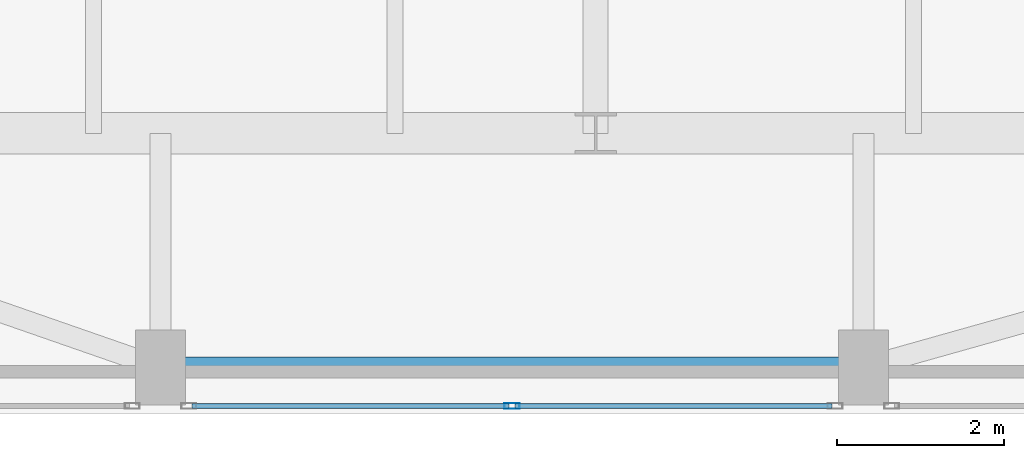
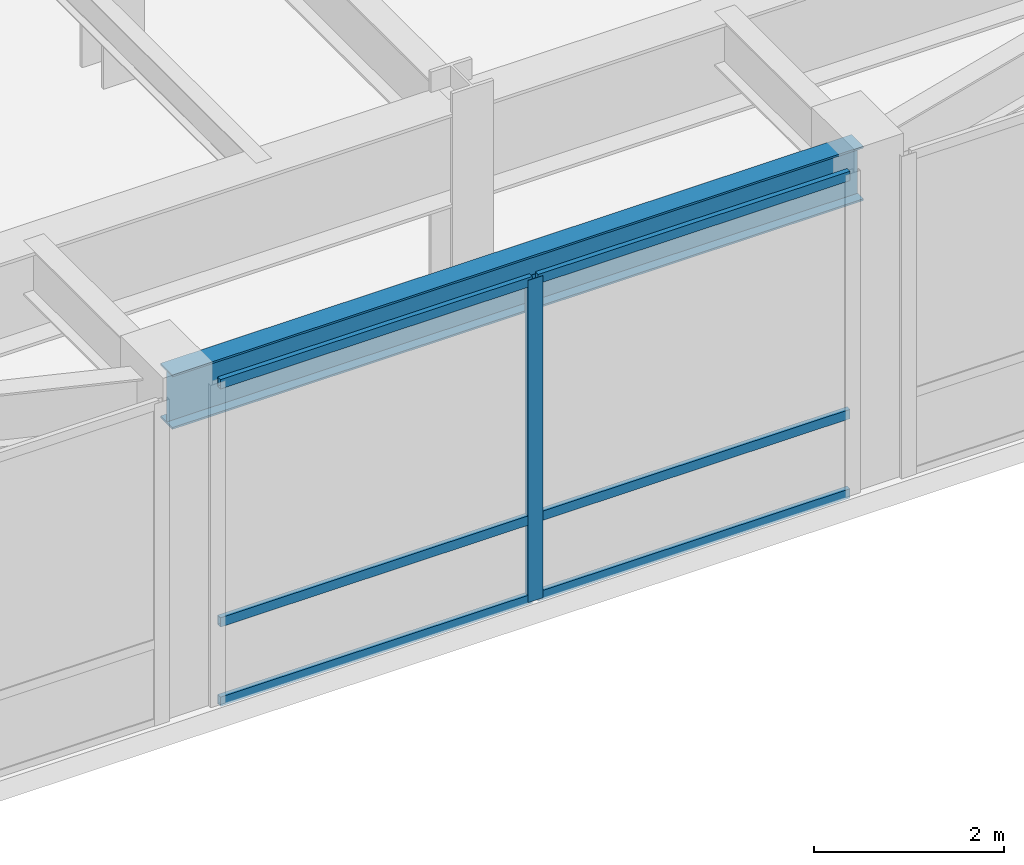
# One storey, part 4 of 27: 7 members, 1 beam, 1 element without a shape of its own.
"""IFC4 building model written with IfcOpenShell, lengths in metres."""

from ifc_helpers import new_model, si_unit, direction, frame, origin, origin_2d, place, context, subcontext, project, spatial, hollow_rectangle, i_section, extrude, source, transform, mapped, material, layer, layer_set, material_profile, profile_set, type_object, type_shapes, element, aggregate, save


model = new_model("IFC4")

# Units and contexts
model_context = context("Model", 3, precision=1e-05, world=origin(), true_north=direction((0.0, 1.0)))
body_context = subcontext(model_context, "Body", "Model", "MODEL_VIEW")
ifc_project = project(units=[si_unit("LENGTHUNIT", "METRE"), si_unit("AREAUNIT", "SQUARE_METRE"), si_unit("VOLUMEUNIT", "CUBIC_METRE"), si_unit("PLANEANGLEUNIT", "RADIAN"), si_unit("MASSUNIT", "GRAM", prefix="KILO")], contexts=[model_context])

# Site, building, storey
site_placement = place(None, origin())
site = spatial("IfcSite", under=ifc_project, at=site_placement, CompositionType="ELEMENT")
building_placement = place(site_placement, origin())
building = spatial("IfcBuilding", under=site, at=building_placement, Name="Tolvann Quenvar Hotel", CompositionType="ELEMENT")
storey_placement = place(building_placement, frame((0.0, 0.0, 22.39990234375)))
storey = spatial("IfcBuildingStorey", under=building, at=storey_placement, Name="L04", CompositionType="ELEMENT", Elevation=22.39990234375)

# Beam
ifc_material_1 = material(Name="Steel Grade 350", Category="steel")
ifc_material_profile_1 = material_profile(ifc_material_1, i_section(OverallWidth=0.25, OverallDepth=0.699951171875, WebThickness=0.010009765625, FlangeThickness=0.02392578125, at=origin_2d()), Name="700WB150")
ifc_profile_set_1 = profile_set([ifc_material_profile_1], Name="Steel Grade 350")
beam_type = type_object("IfcBeamType", Name="BM_GIRD_700WB150", PredefinedType="BEAM", material=ifc_profile_set_1)
shared_shape_1 = source(origin(), body_context, "Body", "SweptSolid", [
    extrude(i_section(OverallWidth=0.25, OverallDepth=0.699951171875, WebThickness=0.010009765625, FlangeThickness=0.02392578125, at=origin_2d()), origin(), (0.0, 0.0, 1.0), 8.400146484375),
])
type_shapes(beam_type, [shared_shape_1])
beam_placement = place(storey_placement, frame((0.39990234375, -1.949951171875, 3.7900390625), z_axis=(1.0, 0.0, 0.0), x_axis=(0.0, 1.0, 0.0)))
element("IfcBeam", 1, at=beam_placement, inside=storey, type_object=beam_type, Name="BM-L04-EWS-W1", PredefinedType="BEAM", context=body_context, shape_type="MappedRepresentation", body=[
    mapped(shared_shape_1, transform((0.0, 0.0, 0.0), x_axis=(1.0, 0.0, 0.0), y_axis=(0.0, 1.0, 0.0), z_axis=(0.0, 0.0, 1.0), scale=1.0)),
])

# Curtain wall, members
ifc_material_2 = material(Name="Thermally broken anodised architectural aluminium 6063-T6 and laminated low-E glass", Category="aluminium")
ifc_layer = layer(ifc_material_2, 0.179931640625)
ifc_layer_set = layer_set([ifc_layer], Name="Thermally broken anodised architectural aluminium 6063-T6 and laminated low-E glass")
curtain_wall_type = type_object("IfcCurtainWallType", Name="CW_SYS_BALL_02", PredefinedType="USERDEFINED", material=ifc_layer_set)
curtain_wall_placement = place(storey_placement, origin())
curtain_wall = element("IfcCurtainWall", 2, at=curtain_wall_placement, inside=storey, type_object=curtain_wall_type, Name="Curtain Wall CW-BALL-02 (CWR-L04-E04-S2)", ObjectType="UNITISED CURTAIN WALL", PredefinedType="USERDEFINED")
ifc_material_3 = material(Name="Anodised architectural aluminium 6063-T6 framing", Category="aluminium")
ifc_material_profile_2 = material_profile(ifc_material_3, hollow_rectangle(XDim=0.06005859375, YDim=0.1201171875, WallThickness=0.00341796875, at=origin_2d()), Name="120x60x3.5RHS")
ifc_profile_set_2 = profile_set([ifc_material_profile_2], Name="Anodised architectural aluminium 6063-T6 framing")
member_type_1 = type_object("IfcMemberType", Name="CW_TRAN_120x60", PredefinedType="USERDEFINED", material=ifc_profile_set_2)
shared_shape_2 = source(origin(), body_context, "Body", "SweptSolid", [
    extrude(hollow_rectangle(XDim=0.06005859375, YDim=0.1201171875, WallThickness=0.00341796875, at=origin_2d()), origin(), (0.0, 0.0, 1.0), 3.791015625),
])
type_shapes(member_type_1, [shared_shape_2])
member_1_placement = place(storey_placement, frame((0.77392578125, -2.409912109375, 0.030029296875), z_axis=(1.0, 0.0, 0.0), x_axis=(0.0, 1.0, 0.0)))
member_1 = element("IfcMember", 3, at=member_1_placement, type_object=member_type_1, Name="CW-BALL-02 transom 1.1", ObjectType="TRANSOM", PredefinedType="USERDEFINED", context=body_context, shape_type="MappedRepresentation", body=[
    mapped(shared_shape_2, transform((0.0, 0.0, 0.0), x_axis=(1.0, 0.0, 0.0), y_axis=(0.0, 1.0, 0.0), z_axis=(0.0, 0.0, 1.0), scale=1.0)),
])
member_2_placement = place(storey_placement, frame((0.77392578125, -2.409912109375, 1.050048828125), z_axis=(1.0, 0.0, 0.0), x_axis=(0.0, 1.0, 0.0)))
member_2 = element("IfcMember", 4, at=member_2_placement, type_object=member_type_1, Name="CW-BALL-02 transom 1.2", ObjectType="TRANSOM", PredefinedType="USERDEFINED", context=body_context, shape_type="MappedRepresentation", body=[
    mapped(shared_shape_2, transform((0.0, 0.0, 0.0), x_axis=(1.0, 0.0, 0.0), y_axis=(0.0, 1.0, 0.0), z_axis=(0.0, 0.0, 1.0), scale=1.0)),
])
member_3_placement = place(storey_placement, frame((0.77392578125, -2.409912109375, 4.110107421875), z_axis=(1.0, 0.0, 0.0), x_axis=(0.0, 1.0, 0.0)))
member_3 = element("IfcMember", 5, at=member_3_placement, type_object=member_type_1, Name="CW-BALL-02 transom 1.3", ObjectType="TRANSOM", PredefinedType="USERDEFINED", context=body_context, shape_type="MappedRepresentation", body=[
    mapped(shared_shape_2, transform((0.0, 0.0, 0.0), x_axis=(1.0, 0.0, 0.0), y_axis=(0.0, 1.0, 0.0), z_axis=(0.0, 0.0, 1.0), scale=1.0)),
])
member_4_placement = place(storey_placement, frame((4.635009765625, -2.409912109375, 0.030029296875), z_axis=(1.0, 0.0, 0.0), x_axis=(0.0, 1.0, 0.0)))
member_4 = element("IfcMember", 6, at=member_4_placement, type_object=member_type_1, Name="CW-BALL-02 transom 2.1", ObjectType="TRANSOM", PredefinedType="USERDEFINED", context=body_context, shape_type="MappedRepresentation", body=[
    mapped(shared_shape_2, transform((0.0, 0.0, 0.0), x_axis=(1.0, 0.0, 0.0), y_axis=(0.0, 1.0, 0.0), z_axis=(0.0, 0.0, 1.0), scale=1.0)),
])
member_5_placement = place(storey_placement, frame((4.635009765625, -2.409912109375, 1.050048828125), z_axis=(1.0, 0.0, 0.0), x_axis=(0.0, 1.0, 0.0)))
member_5 = element("IfcMember", 7, at=member_5_placement, type_object=member_type_1, Name="CW-BALL-02 transom 2.2", ObjectType="TRANSOM", PredefinedType="USERDEFINED", context=body_context, shape_type="MappedRepresentation", body=[
    mapped(shared_shape_2, transform((0.0, 0.0, 0.0), x_axis=(1.0, 0.0, 0.0), y_axis=(0.0, 1.0, 0.0), z_axis=(0.0, 0.0, 1.0), scale=1.0)),
])
member_6_placement = place(storey_placement, frame((4.635009765625, -2.409912109375, 4.110107421875), z_axis=(1.0, 0.0, 0.0), x_axis=(0.0, 1.0, 0.0)))
member_6 = element("IfcMember", 8, at=member_6_placement, type_object=member_type_1, Name="CW-BALL-02 transom 2.3", ObjectType="TRANSOM", PredefinedType="USERDEFINED", context=body_context, shape_type="MappedRepresentation", body=[
    mapped(shared_shape_2, transform((0.0, 0.0, 0.0), x_axis=(1.0, 0.0, 0.0), y_axis=(0.0, 1.0, 0.0), z_axis=(0.0, 0.0, 1.0), scale=1.0)),
])
ifc_material_profile_3 = material_profile(ifc_material_3, hollow_rectangle(XDim=0.070068359375, YDim=0.179931640625, WallThickness=0.00390625, at=origin_2d()), Name="180x70x4RHS")
ifc_profile_set_3 = profile_set([ifc_material_profile_3], Name="Anodised architectural aluminium 6063-T6 framing")
member_type_2 = type_object("IfcMemberType", Name="CW_MULL_180x70", PredefinedType="MULLION", material=ifc_profile_set_3)
shared_shape_3 = source(origin(), body_context, "Body", "SweptSolid", [
    extrude(hollow_rectangle(XDim=0.070068359375, YDim=0.179931640625, WallThickness=0.00390625, at=origin_2d()), origin(), (0.0, 0.0, 1.0), 4.14013671875),
])
type_shapes(member_type_2, [shared_shape_3])
member_7_placement = place(storey_placement, frame((4.60009765625, -2.409912109375, 0.0), z_axis=(0.0, 0.0, 1.0), x_axis=(0.0, 1.0, 0.0)))
member_7 = element("IfcMember", 9, at=member_7_placement, type_object=member_type_2, Name="CW-BALL-02 mullion 2", PredefinedType="MULLION", context=body_context, shape_type="MappedRepresentation", body=[
    mapped(shared_shape_3, transform((0.0, 0.0, 0.0), x_axis=(1.0, 0.0, 0.0), y_axis=(0.0, 1.0, 0.0), z_axis=(0.0, 0.0, 1.0), scale=1.0)),
])
aggregate(curtain_wall, [member_7, member_1, member_2, member_3, member_4, member_5, member_6])

save(model, "model.ifc")
